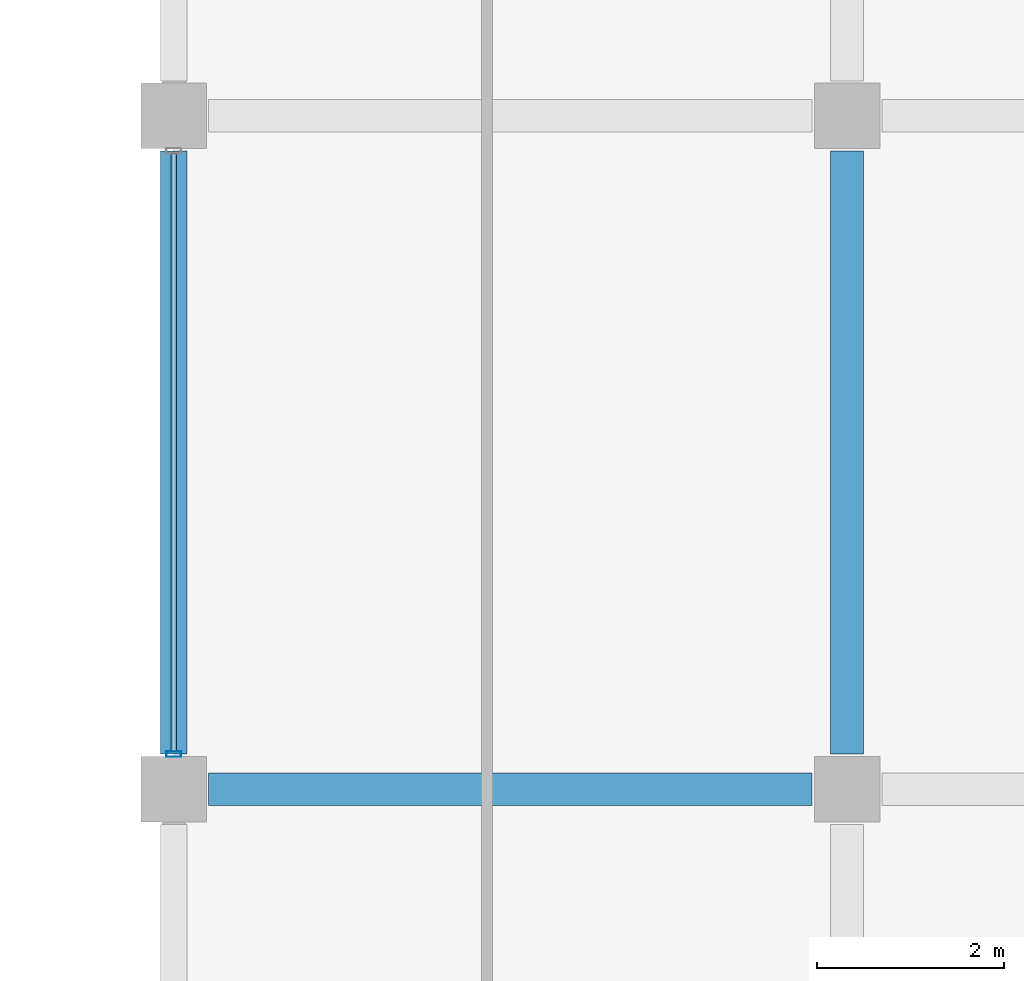
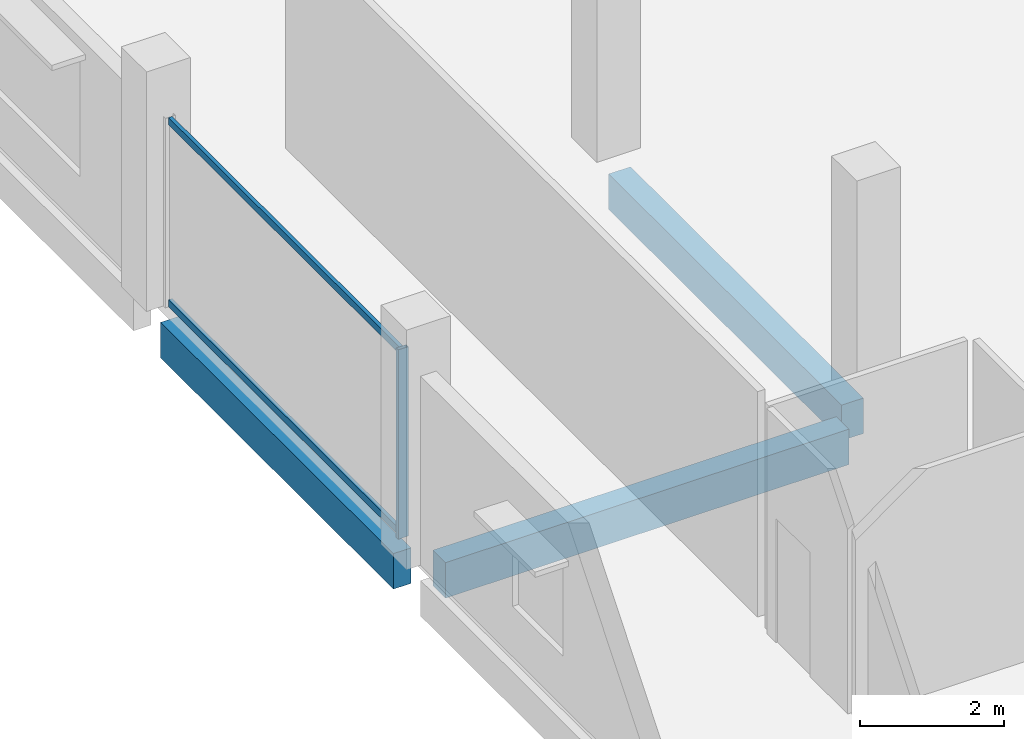
# One storey, part 45 of 91: 3 beams, 3 members, 1 element without a shape of its own.
"""IFC4 building model written with IfcOpenShell, lengths in metres."""

from ifc_helpers import new_model, si_unit, direction, frame, origin, origin_2d, place, context, subcontext, project, spatial, rectangle, hollow_rectangle, extrude, material, layer, layer_set, material_profile, profile_set, type_object, element, aggregate, save


model = new_model("IFC4")

# Units and contexts
model_context = context("Model", 3, precision=1e-05, world=origin(), true_north=direction((0.0, 1.0)))
body_context = subcontext(model_context, "Body", "Model", "MODEL_VIEW")
ifc_project = project(units=[si_unit("LENGTHUNIT", "METRE"), si_unit("AREAUNIT", "SQUARE_METRE"), si_unit("VOLUMEUNIT", "CUBIC_METRE"), si_unit("PLANEANGLEUNIT", "RADIAN"), si_unit("MASSUNIT", "GRAM", prefix="KILO")], contexts=[model_context])

# Site, building, storey
site_placement = place(None, origin())
site = spatial("IfcSite", under=ifc_project, at=site_placement, CompositionType="ELEMENT")
building_placement = place(site_placement, origin())
building = spatial("IfcBuilding", under=site, at=building_placement, Name="Kangsadwip Square Police Headquarters", CompositionType="ELEMENT")
storey_placement = place(building_placement, frame((0.0, 0.0, 13.5)))
storey = spatial("IfcBuildingStorey", under=building, at=storey_placement, Name="L03", CompositionType="ELEMENT", Elevation=13.5)

# Curtain wall, members
ifc_material_1 = material(Name="Thermally broken anodised aluminium AW-6063-T6", Category="aluminium")
ifc_layer = layer(ifc_material_1, 0.159912109375)
ifc_layer_set = layer_set([ifc_layer], Name="Thermally broken anodised aluminium AW-6063-T6")
curtain_wall_type = type_object("IfcCurtainWallType", Name="CourtScreen6510x3200", PredefinedType="USERDEFINED", material=ifc_layer_set)
curtain_wall_placement = place(storey_placement, origin())
curtain_wall = element("IfcCurtainWall", 1, at=curtain_wall_placement, inside=storey, type_object=curtain_wall_type, Name="Curtain Wall CW-L03-1440-0795", ObjectType="GLAZED_SCREEN", PredefinedType="USERDEFINED")
ifc_material_2 = material(Name="Thermally broken anodised aluminium AW-6063-T6", Category="aluminium")
ifc_material_profile_1 = material_profile(ifc_material_2, hollow_rectangle(XDim=0.06005859375, YDim=0.159912109375, WallThickness=0.00390625, at=origin_2d()), Name="CWM 160X60X4")
ifc_profile_set_1 = profile_set([ifc_material_profile_1], Name="Thermally broken anodised aluminium AW-6063-T6")
member_type_1 = type_object("IfcMemberType", Name="CwMullion135x60", PredefinedType="MULLION", material=ifc_profile_set_1)
member_1_placement = place(storey_placement, frame((144.0, 79.574951171875, 0.0), z_axis=(0.0, 0.0, 1.0), x_axis=(0.0, 1.0, 0.0)))
member_1 = element("IfcMember", 2, at=member_1_placement, type_object=member_type_1, Name="CW-19 mullion 1", PredefinedType="MULLION", context=body_context, shape_type="SweptSolid", body=[
    extrude(hollow_rectangle(XDim=0.06005859375, YDim=0.159912109375, WallThickness=0.00390625, at=origin_2d()), origin(), (0.0, 0.0, 1.0), 3.199951171875),
])
ifc_material_3 = material(Name="Thermally broken anodised aluminium AW-6063-T6", Category="aluminium")
ifc_material_profile_2 = material_profile(ifc_material_3, hollow_rectangle(XDim=0.06005859375, YDim=0.1201171875, WallThickness=0.00390625, at=origin_2d()), Name="CWT 120X60X4")
ifc_profile_set_2 = profile_set([ifc_material_profile_2], Name="Thermally broken anodised aluminium AW-6063-T6")
member_type_2 = type_object("IfcMemberType", Name="CwTransom120x55", PredefinedType="USERDEFINED", material=ifc_profile_set_2)
member_2_placement = place(storey_placement, frame((144.0, 79.60498046875, 0.06005859375), z_axis=(0.0, 1.0, 0.0), x_axis=(-1.0, 0.0, 0.0)))
member_2 = element("IfcMember", 3, at=member_2_placement, type_object=member_type_2, Name="CW-19 transom 1.1", ObjectType="TRANSOM", PredefinedType="USERDEFINED", context=body_context, shape_type="SweptSolid", body=[
    extrude(hollow_rectangle(XDim=0.06005859375, YDim=0.1201171875, WallThickness=0.00390625, at=origin_2d()), origin(), (0.0, 0.0, 1.0), 6.39013671875),
])
member_3_placement = place(storey_placement, frame((144.0, 79.60498046875, 3.139892578125), z_axis=(0.0, 1.0, 0.0), x_axis=(-1.0, 0.0, 0.0)))
member_3 = element("IfcMember", 4, at=member_3_placement, type_object=member_type_2, Name="CW-19 transom 1.2", ObjectType="TRANSOM", PredefinedType="USERDEFINED", context=body_context, shape_type="SweptSolid", body=[
    extrude(hollow_rectangle(XDim=0.06005859375, YDim=0.1201171875, WallThickness=0.00390625, at=origin_2d()), origin(), (0.0, 0.0, 1.0), 6.39013671875),
])
aggregate(curtain_wall, [member_1, member_2, member_3])

# Beams
ifc_material_4 = material(Name="Concrete M35 (35 MPa)", Category="concrete")
ifc_material_profile_3 = material_profile(ifc_material_4, rectangle(XDim=0.35009765625, YDim=0.60009765625, at=origin_2d()), Name="RC BM 600X350")
ifc_profile_set_3 = profile_set([ifc_material_profile_3], Name="Concrete M35 (35 MPa)")
beam_type_1 = type_object("IfcBeamType", Name="RcBeam600x350", PredefinedType="BEAM", material=ifc_profile_set_3)
for number, where, z_axis, x_axis, name in (
    (5, (144.375, 79.199951171875, -0.5400390625), (1.0, 0.0, 0.0), (0.0, 1.0, 0.0), "Beam BM-L03-X-20-11"),
    (6, (151.199951171875, 79.574951171875, -0.5400390625), (0.0, 1.0, 0.0), (-1.0, 0.0, 0.0), "Beam BM-L03-Y-21-11"),
):
    element("IfcBeam", number, at=place(storey_placement, frame(where, z_axis=z_axis, x_axis=x_axis)), inside=storey, type_object=beam_type_1, Name=name, PredefinedType="BEAM", context=body_context, shape_type="SweptSolid", body=[
        extrude(rectangle(XDim=0.35009765625, YDim=0.60009765625, at=origin_2d()), origin(), (0.0, 0.0, 1.0), 6.449951171875),
    ])
ifc_material_5 = material(Name="Concrete M40 (40 MPa)", Category="concrete")
ifc_material_profile_4 = material_profile(ifc_material_5, rectangle(XDim=0.280029296875, YDim=0.60009765625, at=origin_2d()), Name="RC SPN 600X280")
ifc_profile_set_4 = profile_set([ifc_material_profile_4], Name="Concrete M40 (40 MPa)")
beam_type_2 = type_object("IfcBeamType", Name="RcSpandrel600x280", PredefinedType="SPANDREL", material=ifc_profile_set_4)
beam_placement = place(storey_placement, frame((144.0, 79.574951171875, -0.5400390625), z_axis=(0.0, 1.0, 0.0), x_axis=(-1.0, 0.0, 0.0)))
element("IfcBeam", 7, at=beam_placement, inside=storey, type_object=beam_type_2, Name="Beam BM-L03-Y-20-11", PredefinedType="SPANDREL", context=body_context, shape_type="SweptSolid", body=[
    extrude(rectangle(XDim=0.280029296875, YDim=0.60009765625, at=origin_2d()), origin(), (0.0, 0.0, 1.0), 6.449951171875),
])

save(model, "model.ifc")
